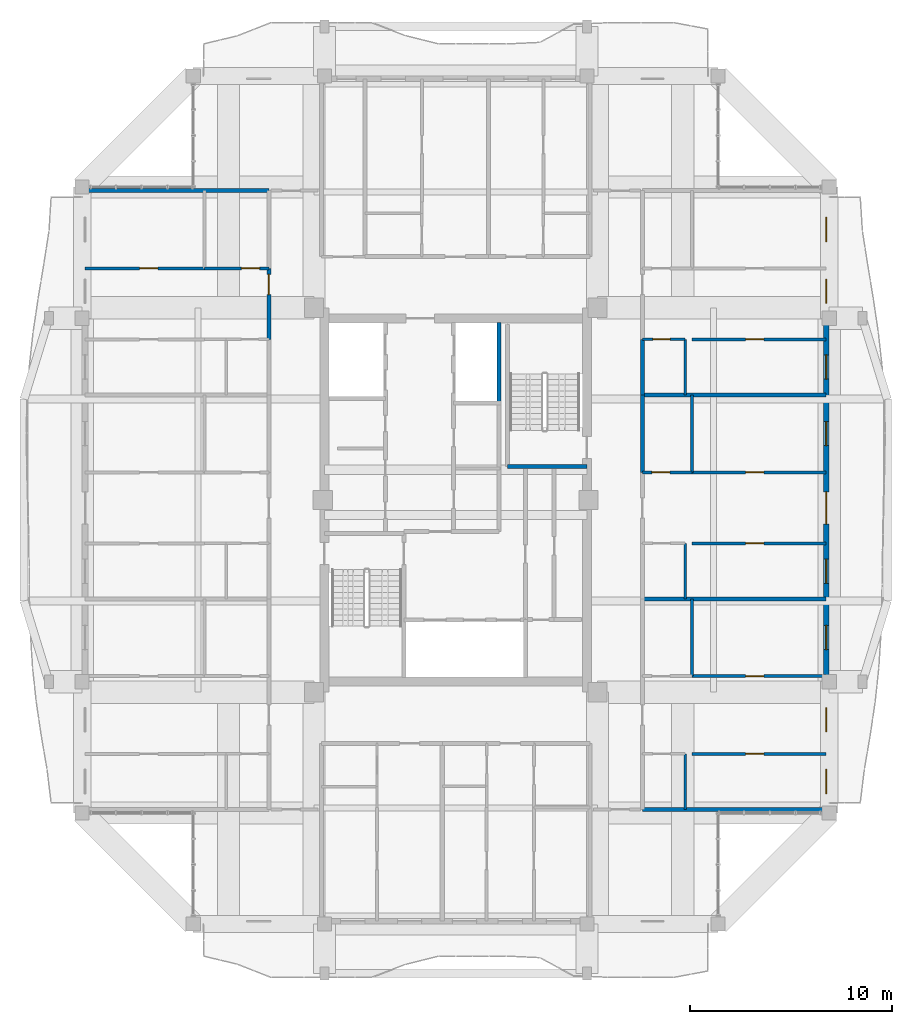
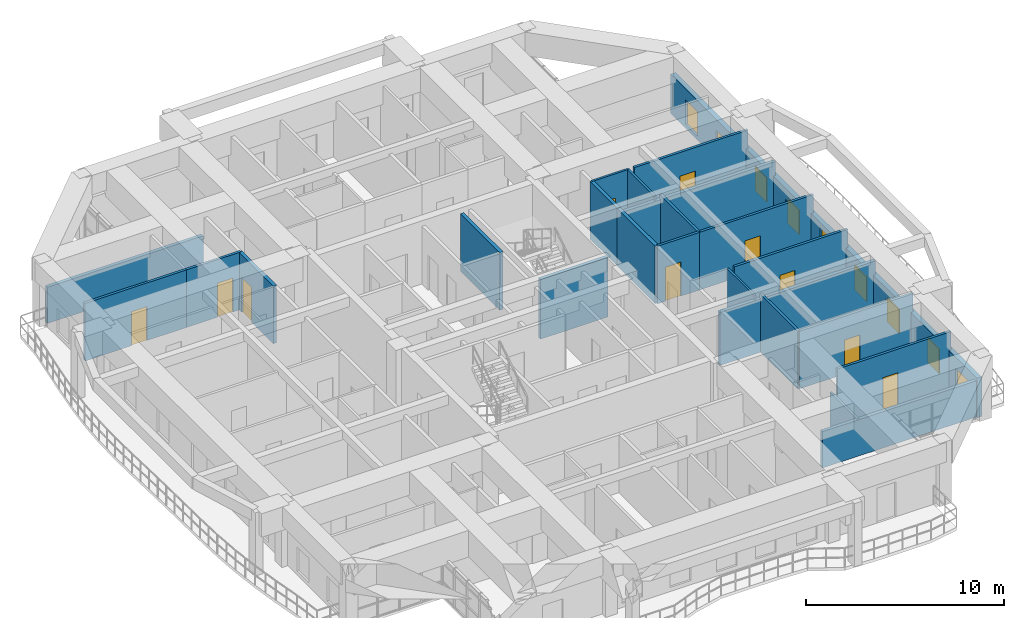
# One storey, part 14 of 22: 24 walls, 11 doors, 8 windows, 19 openings.
"""IFC4 building model written with IfcOpenShell, lengths in metres."""

from ifc_helpers import new_model, si_unit, direction, frame, frame_2d, origin, place, context, subcontext, project, spatial, rectangle, extrude, source, transform, mapped, material, layer, layer_set, type_object, element, fill, save


model = new_model("IFC4")

# Units and contexts
model_context = context("Model", 3, precision=1e-05, world=origin(), true_north=direction((0.0, 1.0)))
body_context = subcontext(model_context, "Body", "Model", "MODEL_VIEW")
ifc_project = project(units=[si_unit("LENGTHUNIT", "METRE"), si_unit("AREAUNIT", "SQUARE_METRE"), si_unit("VOLUMEUNIT", "CUBIC_METRE"), si_unit("PLANEANGLEUNIT", "RADIAN"), si_unit("MASSUNIT", "GRAM", prefix="KILO")], contexts=[model_context])

# Site, building, storey
site_placement = place(None, origin())
site = spatial("IfcSite", under=ifc_project, at=site_placement, CompositionType="ELEMENT")
building_placement = place(site_placement, origin())
building = spatial("IfcBuilding", under=site, at=building_placement, Name="Saelheon Loggia Tower", CompositionType="ELEMENT")
storey_placement = place(building_placement, frame((0.0, 0.0, 216.300048828125)))
storey = spatial("IfcBuildingStorey", under=building, at=storey_placement, Name="L67", CompositionType="ELEMENT", Elevation=216.300048828125)

# Wall, openings, windows, door
ifc_material_1 = material(Name="Architectural Precast Concrete C40/50", Category="concrete")
ifc_layer_1 = layer(ifc_material_1, 0.280029296875)
ifc_layer_set_1 = layer_set([ifc_layer_1], Name="Architectural Precast Concrete C40/50")
wall_type_1 = type_object("IfcWallType", Name="Wall_Ext_Loggia_280", PredefinedType="SOLIDWALL", material=ifc_layer_set_1)
wall_1_placement = place(storey_placement, frame((56.360107421875, 11.5, 0.0), z_axis=(0.0, 0.0, 1.0), x_axis=(0.0, 1.0, 0.0)))
wall_1 = element("IfcWall", 1, at=wall_1_placement, inside=storey, type_object=wall_type_1, Name="L67 East Loggia Inner Wall", PredefinedType="SOLIDWALL", context=body_context, shape_type="SweptSolid", body=[
    extrude(rectangle(XDim=31.0, YDim=0.280029296875, at=frame_2d((15.5, 0.0))), origin(), (0.0, 0.0, 1.0), 2.43994140625),
])
opening_1_placement = place(wall_1_placement, frame((0.9599609375, 0.0, 0.25)))
opening_1 = element("IfcOpeningElement", 2, at=opening_1_placement, cuts=wall_1, Name="Opening WN-03", PredefinedType="OPENING", context=body_context, shape_type="SweptSolid", body=[
    extrude(rectangle(XDim=1.199951171875, YDim=1.5, at=frame_2d((0.60009765625, 0.75))), frame((0.0, 0.152099609375, 0.0), z_axis=(0.0, -1.0, 0.0), x_axis=(1.0, 0.0, 0.0)), (0.0, 0.0, 1.0), 0.303955078125),
])
opening_2_placement = place(wall_1_placement, frame((4.02001953125, 0.0, 0.25)))
opening_2 = element("IfcOpeningElement", 3, at=opening_2_placement, cuts=wall_1, Name="Opening WN-03", PredefinedType="OPENING", context=body_context, shape_type="SweptSolid", body=[
    extrude(rectangle(XDim=1.199951171875, YDim=1.5, at=frame_2d((0.60009765625, 0.75))), frame((0.0, 0.152099609375, 0.0), z_axis=(0.0, -1.0, 0.0), x_axis=(1.0, 0.0, 0.0)), (0.0, 0.0, 1.0), 0.303955078125),
])
opening_3_placement = place(wall_1_placement, frame((8.0888671875, 0.0, 0.25)))
opening_3 = element("IfcOpeningElement", 4, at=opening_3_placement, cuts=wall_1, Name="Opening WN-03", PredefinedType="OPENING", context=body_context, shape_type="SweptSolid", body=[
    extrude(rectangle(XDim=1.199951171875, YDim=1.5, at=frame_2d((0.60009765625, 0.75))), frame((0.0, 0.152099609375, 0.0), z_axis=(0.0, -1.0, 0.0), x_axis=(1.0, 0.0, 0.0)), (0.0, 0.0, 1.0), 0.303955078125),
])
opening_4_placement = place(wall_1_placement, frame((11.37255859375, 0.0, 0.25)))
opening_4 = element("IfcOpeningElement", 5, at=opening_4_placement, cuts=wall_1, Name="Opening WN-03", PredefinedType="OPENING", context=body_context, shape_type="SweptSolid", body=[
    extrude(rectangle(XDim=1.199951171875, YDim=1.5, at=frame_2d((0.60009765625, 0.75))), frame((0.0, 0.152099609375, 0.0), z_axis=(0.0, -1.0, 0.0), x_axis=(1.0, 0.0, 0.0)), (0.0, 0.0, 1.0), 0.303955078125),
])
opening_5_placement = place(wall_1_placement, frame((15.906982421875, 0.0, 0.0), z_axis=(0.0, 0.0, 1.0), x_axis=(-1.0, 0.0, 0.0)))
opening_5 = element("IfcOpeningElement", 6, at=opening_5_placement, cuts=wall_1, Name="Opening DLG-1", PredefinedType="OPENING", context=body_context, shape_type="SweptSolid", body=[
    extrude(rectangle(XDim=1.60009765625, YDim=2.14990234375, at=frame_2d((0.800048828125, 1.074951171875))), frame((0.0, 0.152099609375, 0.0), z_axis=(0.0, -1.0, 0.0), x_axis=(1.0, 0.0, 0.0)), (0.0, 0.0, 1.0), 0.303955078125),
])
opening_6_placement = place(wall_1_placement, frame((18.1875, 0.0, 0.25)))
opening_6 = element("IfcOpeningElement", 7, at=opening_6_placement, cuts=wall_1, Name="Opening WN-03", PredefinedType="OPENING", context=body_context, shape_type="SweptSolid", body=[
    extrude(rectangle(XDim=1.199951171875, YDim=1.5, at=frame_2d((0.60009765625, 0.75))), frame((0.0, 0.152099609375, 0.0), z_axis=(0.0, -1.0, 0.0), x_axis=(1.0, 0.0, 0.0)), (0.0, 0.0, 1.0), 0.303955078125),
])
opening_7_placement = place(wall_1_placement, frame((21.48388671875, 0.0, 0.25)))
opening_7 = element("IfcOpeningElement", 8, at=opening_7_placement, cuts=wall_1, Name="Opening WN-03", PredefinedType="OPENING", context=body_context, shape_type="SweptSolid", body=[
    extrude(rectangle(XDim=1.199951171875, YDim=1.5, at=frame_2d((0.60009765625, 0.75))), frame((0.0, 0.152099609375, 0.0), z_axis=(0.0, -1.0, 0.0), x_axis=(1.0, 0.0, 0.0)), (0.0, 0.0, 1.0), 0.303955078125),
])
opening_8_placement = place(wall_1_placement, frame((25.23388671875, 0.0, 0.25)))
opening_8 = element("IfcOpeningElement", 9, at=opening_8_placement, cuts=wall_1, Name="Opening WN-03", PredefinedType="OPENING", context=body_context, shape_type="SweptSolid", body=[
    extrude(rectangle(XDim=1.199951171875, YDim=1.5, at=frame_2d((0.60009765625, 0.75))), frame((0.0, 0.152099609375, 0.0), z_axis=(0.0, -1.0, 0.0), x_axis=(1.0, 0.0, 0.0)), (0.0, 0.0, 1.0), 0.303955078125),
])
opening_9_placement = place(wall_1_placement, frame((28.293701171875, 0.0, 0.25)))
opening_9 = element("IfcOpeningElement", 10, at=opening_9_placement, cuts=wall_1, Name="Opening WN-03", PredefinedType="OPENING", context=body_context, shape_type="SweptSolid", body=[
    extrude(rectangle(XDim=1.199951171875, YDim=1.5, at=frame_2d((0.60009765625, 0.75))), frame((0.0, 0.152099609375, 0.0), z_axis=(0.0, -1.0, 0.0), x_axis=(1.0, 0.0, 0.0)), (0.0, 0.0, 1.0), 0.303955078125),
])
ifc_material_2 = material(Name="Thermal-Break Aluminium and Triple Low-E Glass", Category="aluminium")
window_type = type_object("IfcWindowType", Name="Win_Bedroom_1200x1500", PartitioningType="SINGLE_PANEL", PredefinedType="WINDOW", material=ifc_material_2)
shared_shape_1 = source(origin(), body_context, "Body", "SweptSolid", [
    extrude(rectangle(XDim=1.199951171875, YDim=1.5, at=frame_2d((0.60009765625, 0.75))), frame((0.0, 0.030029296875, 0.0), z_axis=(0.0, -1.0, 0.0), x_axis=(1.0, 0.0, 0.0)), (0.0, 0.0, 1.0), 0.06005859375),
])
window_1_placement = place(opening_1_placement, origin())
window_1 = element("IfcWindow", 11, at=window_1_placement, inside=storey, type_object=window_type, Name="L67 E Dwelling Window 1", OverallHeight=1.5, OverallWidth=1.199951171875, PartitioningType="SINGLE_PANEL", PredefinedType="WINDOW", context=body_context, shape_type="MappedRepresentation", body=[
    mapped(shared_shape_1, transform((0.0, 0.0, 0.0), scale=1.0)),
])
fill(opening_1, window_1)
window_2_placement = place(opening_2_placement, origin())
window_2 = element("IfcWindow", 12, at=window_2_placement, inside=storey, type_object=window_type, Name="L67 E Dwelling Window 2", OverallHeight=1.5, OverallWidth=1.199951171875, PartitioningType="SINGLE_PANEL", PredefinedType="WINDOW", context=body_context, shape_type="MappedRepresentation", body=[
    mapped(shared_shape_1, transform((0.0, 0.0, 0.0), scale=1.0)),
])
fill(opening_2, window_2)
window_3_placement = place(opening_3_placement, origin())
window_3 = element("IfcWindow", 13, at=window_3_placement, inside=storey, type_object=window_type, Name="L67 E Dwelling Window 3", OverallHeight=1.5, OverallWidth=1.199951171875, PartitioningType="SINGLE_PANEL", PredefinedType="WINDOW", context=body_context, shape_type="MappedRepresentation", body=[
    mapped(shared_shape_1, transform((0.0, 0.0, 0.0), scale=1.0)),
])
fill(opening_3, window_3)
window_4_placement = place(opening_4_placement, origin())
window_4 = element("IfcWindow", 14, at=window_4_placement, inside=storey, type_object=window_type, Name="L67 E Dwelling Window 4", OverallHeight=1.5, OverallWidth=1.199951171875, PartitioningType="SINGLE_PANEL", PredefinedType="WINDOW", context=body_context, shape_type="MappedRepresentation", body=[
    mapped(shared_shape_1, transform((0.0, 0.0, 0.0), scale=1.0)),
])
fill(opening_4, window_4)
window_5_placement = place(opening_6_placement, origin())
window_5 = element("IfcWindow", 15, at=window_5_placement, inside=storey, type_object=window_type, Name="L67 E Dwelling Window 6", OverallHeight=1.5, OverallWidth=1.199951171875, PartitioningType="SINGLE_PANEL", PredefinedType="WINDOW", context=body_context, shape_type="MappedRepresentation", body=[
    mapped(shared_shape_1, transform((0.0, 0.0, 0.0), scale=1.0)),
])
fill(opening_6, window_5)
window_6_placement = place(opening_7_placement, origin())
window_6 = element("IfcWindow", 16, at=window_6_placement, inside=storey, type_object=window_type, Name="L67 E Dwelling Window 7", OverallHeight=1.5, OverallWidth=1.199951171875, PartitioningType="SINGLE_PANEL", PredefinedType="WINDOW", context=body_context, shape_type="MappedRepresentation", body=[
    mapped(shared_shape_1, transform((0.0, 0.0, 0.0), scale=1.0)),
])
fill(opening_7, window_6)
window_7_placement = place(opening_8_placement, origin())
window_7 = element("IfcWindow", 17, at=window_7_placement, inside=storey, type_object=window_type, Name="L67 E Dwelling Window 8", OverallHeight=1.5, OverallWidth=1.199951171875, PartitioningType="SINGLE_PANEL", PredefinedType="WINDOW", context=body_context, shape_type="MappedRepresentation", body=[
    mapped(shared_shape_1, transform((0.0, 0.0, 0.0), scale=1.0)),
])
fill(opening_8, window_7)
window_8_placement = place(opening_9_placement, origin())
window_8 = element("IfcWindow", 18, at=window_8_placement, inside=storey, type_object=window_type, Name="L67 E Dwelling Window 9", OverallHeight=1.5, OverallWidth=1.199951171875, PartitioningType="SINGLE_PANEL", PredefinedType="WINDOW", context=body_context, shape_type="MappedRepresentation", body=[
    mapped(shared_shape_1, transform((0.0, 0.0, 0.0), scale=1.0)),
])
fill(opening_9, window_8)
ifc_material_3 = material(Name="Thermal-Break Aluminium Sliding Glazed Door", Category="aluminium")
door_type_1 = type_object("IfcDoorType", Name="Door_LoggiaSlide_1600", OperationType="SLIDING_TO_LEFT", PredefinedType="DOOR", material=ifc_material_3)
shared_shape_2 = source(origin(), body_context, "Body", "SweptSolid", [
    extrude(rectangle(XDim=1.60009765625, YDim=2.14990234375, at=frame_2d((0.800048828125, 1.074951171875))), frame((0.0, 0.02490234375, 0.0), z_axis=(0.0, -1.0, 0.0), x_axis=(1.0, 0.0, 0.0)), (0.0, 0.0, 1.0), 0.050048828125),
])
door_1_placement = place(opening_5_placement, origin())
door_1 = element("IfcDoor", 19, at=door_1_placement, inside=storey, type_object=door_type_1, Name="L67 E Loggia Access Door", OperationType="SLIDING_TO_LEFT", OverallHeight=2.14990234375, OverallWidth=1.60009765625, PredefinedType="DOOR", context=body_context, shape_type="MappedRepresentation", body=[
    mapped(shared_shape_2, transform((0.0, 0.0, 0.0), scale=1.0)),
])
fill(opening_5, door_1)

# Wall, opening, door
ifc_material_4 = material(Name="Lightweight Autoclaved Aerated Concrete Block and Acoustic Gypsum", Category="concrete")
ifc_layer_2 = layer(ifc_material_4, 0.14990234375)
ifc_layer_set_2 = layer_set([ifc_layer_2], Name="Lightweight Autoclaved Aerated Concrete Block and Acoustic Gypsum")
wall_type_2 = type_object("IfcWallType", Name="Wall_Part_150", PredefinedType="PARTITIONING", material=ifc_layer_set_2)
wall_2_placement = place(storey_placement, frame((28.75, 38.477783203125, 0.0), z_axis=(0.0, 0.0, 1.0), x_axis=(-1.0, 0.0, 0.0)))
wall_2 = element("IfcWall", 20, at=wall_2_placement, inside=storey, type_object=wall_type_2, Name="L67 W Partition U33", PredefinedType="PARTITIONING", context=body_context, shape_type="SweptSolid", body=[
    extrude(rectangle(XDim=3.179931640625, YDim=0.14990234375, at=frame_2d((1.58984375, 0.0))), origin(), (0.0, 0.0, 1.0), 3.56005859375),
])
opening_10_placement = place(wall_2_placement, frame((0.465087890625, 0.0, 0.0)))
opening_10 = element("IfcOpeningElement", 21, at=opening_10_placement, cuts=wall_2, Name="Opening D-IN2", PredefinedType="OPENING", context=body_context, shape_type="SweptSolid", body=[
    extrude(rectangle(XDim=0.89990234375, YDim=2.10009765625, at=frame_2d((0.449951171875, 1.050048828125))), frame((0.0, 0.0869140625, 0.0), z_axis=(0.0, -1.0, 0.0), x_axis=(1.0, 0.0, 0.0)), (0.0, 0.0, 1.0), 0.173828125),
])
ifc_material_5 = material(Name="Engineered Oak Flush Door", Category="timber")
door_type_2 = type_object("IfcDoorType", Name="Door_Int_900", OperationType="NOTDEFINED", PredefinedType="DOOR", material=ifc_material_5)
shared_shape_3 = source(origin(), body_context, "Body", "SweptSolid", [
    extrude(rectangle(XDim=0.89990234375, YDim=2.10009765625, at=frame_2d((0.449951171875, 1.050048828125))), frame((0.0, 0.02490234375, 0.0), z_axis=(0.0, -1.0, 0.0), x_axis=(1.0, 0.0, 0.0)), (0.0, 0.0, 1.0), 0.050048828125),
])
door_2_placement = place(opening_10_placement, origin())
door_2 = element("IfcDoor", 22, at=door_2_placement, inside=storey, type_object=door_type_2, Name="Unit U07 Dressing Closet Door", OperationType="SINGLE_SWING_RIGHT", OverallHeight=2.10009765625, OverallWidth=0.89990234375, PredefinedType="DOOR", context=body_context, shape_type="MappedRepresentation", body=[
    mapped(shared_shape_3, transform((0.0, 0.0, 0.0), scale=1.0)),
])
fill(opening_10, door_2)

wall_3_placement = place(storey_placement, frame((25.570068359375, 38.477783203125, 0.0), z_axis=(0.0, 0.0, 1.0), x_axis=(-1.0, 0.0, 0.0)))
wall_3 = element("IfcWall", 23, at=wall_3_placement, inside=storey, type_object=wall_type_2, Name="L67 W Partition U34", PredefinedType="PARTITIONING", context=body_context, shape_type="SweptSolid", body=[
    extrude(rectangle(XDim=5.920166015625, YDim=0.14990234375, at=frame_2d((2.9599609375, 0.0))), origin(), (0.0, 0.0, 1.0), 3.56005859375),
])
opening_11_placement = place(wall_3_placement, frame((2.32080078125, 0.0, 0.0)))
opening_11 = element("IfcOpeningElement", 24, at=opening_11_placement, cuts=wall_3, Name="Opening D-IN2", PredefinedType="OPENING", context=body_context, shape_type="SweptSolid", body=[
    extrude(rectangle(XDim=0.89990234375, YDim=2.10009765625, at=frame_2d((0.449951171875, 1.050048828125))), frame((0.0, 0.0869140625, 0.0), z_axis=(0.0, -1.0, 0.0), x_axis=(1.0, 0.0, 0.0)), (0.0, 0.0, 1.0), 0.173828125),
])
door_3_placement = place(opening_11_placement, origin())
door_3 = element("IfcDoor", 25, at=door_3_placement, inside=storey, type_object=door_type_2, Name="Unit U07 Bedroom 1 Door", OperationType="SINGLE_SWING_LEFT", OverallHeight=2.10009765625, OverallWidth=0.89990234375, PredefinedType="DOOR", context=body_context, shape_type="MappedRepresentation", body=[
    mapped(shared_shape_3, transform((0.0, 0.0, 0.0), scale=1.0)),
])
fill(opening_11, door_3)

# Wall
wall_4_placement = place(storey_placement, frame((49.7099609375, 18.280029296875, 0.0), z_axis=(0.0, 0.0, 1.0), x_axis=(0.0, 1.0, 0.0)))
element("IfcWall", 26, at=wall_4_placement, inside=storey, type_object=wall_type_2, Name="L67 E Partition V07", PredefinedType="PARTITIONING", context=body_context, shape_type="SweptSolid", body=[
    extrude(rectangle(XDim=3.817626953125, YDim=0.14990234375, at=frame_2d((1.90869140625, 0.0))), origin(), (0.0, 0.0, 1.0), 3.56005859375),
])

# Wall, opening, door
wall_5_placement = place(storey_placement, frame((49.7099609375, 14.429931640625, 0.0), z_axis=(0.0, 0.0, 1.0), x_axis=(1.0, 0.0, 0.0)))
wall_5 = element("IfcWall", 27, at=wall_5_placement, inside=storey, type_object=wall_type_2, Name="L67 E Partition U09", PredefinedType="PARTITIONING", context=body_context, shape_type="SweptSolid", body=[
    extrude(rectangle(XDim=6.64013671875, YDim=0.14990234375, at=frame_2d((3.320068359375, 0.0))), origin(), (0.0, 0.0, 1.0), 3.56005859375),
])
opening_12_placement = place(wall_5_placement, frame((2.65087890625, 0.0, 0.0)))
opening_12 = element("IfcOpeningElement", 28, at=opening_12_placement, cuts=wall_5, Name="Opening D-IN2", PredefinedType="OPENING", context=body_context, shape_type="SweptSolid", body=[
    extrude(rectangle(XDim=0.89990234375, YDim=2.10009765625, at=frame_2d((0.449951171875, 1.050048828125))), frame((0.0, 0.0869140625, 0.0), z_axis=(0.0, -1.0, 0.0), x_axis=(1.0, 0.0, 0.0)), (0.0, 0.0, 1.0), 0.173828125),
])
door_4_placement = place(opening_12_placement, origin())
door_4 = element("IfcDoor", 29, at=door_4_placement, inside=storey, type_object=door_type_2, Name="Unit U08 Kitchen Door", OperationType="SINGLE_SWING_RIGHT", OverallHeight=2.10009765625, OverallWidth=0.89990234375, PredefinedType="DOOR", context=body_context, shape_type="MappedRepresentation", body=[
    mapped(shared_shape_3, transform((0.0, 0.0, 0.0), scale=1.0)),
])
fill(opening_12, door_4)

wall_6_placement = place(storey_placement, frame((49.7099609375, 18.280029296875, 0.0), z_axis=(0.0, 0.0, 1.0), x_axis=(1.0, 0.0, 0.0)))
wall_6 = element("IfcWall", 30, at=wall_6_placement, inside=storey, type_object=wall_type_2, Name="L67 E Partition U11", PredefinedType="PARTITIONING", context=body_context, shape_type="SweptSolid", body=[
    extrude(rectangle(XDim=6.64013671875, YDim=0.14990234375, at=frame_2d((3.320068359375, 0.0))), origin(), (0.0, 0.0, 1.0), 3.56005859375),
])
opening_13_placement = place(wall_6_placement, frame((2.65087890625, 0.0, 0.0)))
opening_13 = element("IfcOpeningElement", 31, at=opening_13_placement, cuts=wall_6, Name="Opening D-IN2", PredefinedType="OPENING", context=body_context, shape_type="SweptSolid", body=[
    extrude(rectangle(XDim=0.89990234375, YDim=2.10009765625, at=frame_2d((0.449951171875, 1.050048828125))), frame((0.0, 0.0869140625, 0.0), z_axis=(0.0, -1.0, 0.0), x_axis=(1.0, 0.0, 0.0)), (0.0, 0.0, 1.0), 0.173828125),
])
door_5_placement = place(opening_13_placement, origin())
door_5 = element("IfcDoor", 32, at=door_5_placement, inside=storey, type_object=door_type_2, Name="Unit U08 Bedroom 1 Door", OperationType="SINGLE_SWING_RIGHT", OverallHeight=2.10009765625, OverallWidth=0.89990234375, PredefinedType="DOOR", context=body_context, shape_type="MappedRepresentation", body=[
    mapped(shared_shape_3, transform((0.0, 0.0, 0.0), scale=1.0)),
])
fill(opening_13, door_5)

# Wall
wall_7_placement = place(storey_placement, frame((49.7099609375, 28.366455078125, 0.0), z_axis=(0.0, 0.0, 1.0), x_axis=(0.0, 1.0, 0.0)))
element("IfcWall", 33, at=wall_7_placement, inside=storey, type_object=wall_type_2, Name="L67 E Partition V17", PredefinedType="PARTITIONING", context=body_context, shape_type="SweptSolid", body=[
    extrude(rectangle(XDim=3.84228515625, YDim=0.14990234375, at=frame_2d((1.921142578125, 0.0))), origin(), (0.0, 0.0, 1.0), 3.56005859375),
])

# Wall, opening, door
wall_8_placement = place(storey_placement, frame((49.7099609375, 24.84765625, 0.0), z_axis=(0.0, 0.0, 1.0), x_axis=(1.0, 0.0, 0.0)))
wall_8 = element("IfcWall", 34, at=wall_8_placement, inside=storey, type_object=wall_type_2, Name="L67 E Partition U19", PredefinedType="PARTITIONING", context=body_context, shape_type="SweptSolid", body=[
    extrude(rectangle(XDim=6.64013671875, YDim=0.14990234375, at=frame_2d((3.320068359375, 0.0))), origin(), (0.0, 0.0, 1.0), 3.56005859375),
])
opening_14_placement = place(wall_8_placement, frame((2.65087890625, 0.0, 0.0)))
opening_14 = element("IfcOpeningElement", 35, at=opening_14_placement, cuts=wall_8, Name="Opening D-IN2", PredefinedType="OPENING", context=body_context, shape_type="SweptSolid", body=[
    extrude(rectangle(XDim=0.89990234375, YDim=2.10009765625, at=frame_2d((0.449951171875, 1.050048828125))), frame((0.0, 0.0869140625, 0.0), z_axis=(0.0, -1.0, 0.0), x_axis=(1.0, 0.0, 0.0)), (0.0, 0.0, 1.0), 0.173828125),
])
door_6_placement = place(opening_14_placement, origin())
door_6 = element("IfcDoor", 36, at=door_6_placement, inside=storey, type_object=door_type_2, Name="Unit U09 Kitchen Door", OperationType="SINGLE_SWING_LEFT", OverallHeight=2.10009765625, OverallWidth=0.89990234375, PredefinedType="DOOR", context=body_context, shape_type="MappedRepresentation", body=[
    mapped(shared_shape_3, transform((0.0, 0.0, 0.0), scale=1.0)),
])
fill(opening_14, door_6)

wall_9_placement = place(storey_placement, frame((47.25, 28.366455078125, 0.0), z_axis=(0.0, 0.0, 1.0), x_axis=(1.0, 0.0, 0.0)))
wall_9 = element("IfcWall", 37, at=wall_9_placement, inside=storey, type_object=wall_type_2, Name="L67 E Partition U20", PredefinedType="PARTITIONING", context=body_context, shape_type="SweptSolid", body=[
    extrude(rectangle(XDim=2.4599609375, YDim=0.14990234375, at=frame_2d((1.22998046875, 0.0))), origin(), (0.0, 0.0, 1.0), 3.56005859375),
])
opening_15_placement = place(wall_9_placement, frame((0.465087890625, 0.0, 0.0)))
opening_15 = element("IfcOpeningElement", 38, at=opening_15_placement, cuts=wall_9, Name="Opening D-IN2", PredefinedType="OPENING", context=body_context, shape_type="SweptSolid", body=[
    extrude(rectangle(XDim=0.89990234375, YDim=2.10009765625, at=frame_2d((0.449951171875, 1.050048828125))), frame((0.0, 0.0869140625, 0.0), z_axis=(0.0, -1.0, 0.0), x_axis=(1.0, 0.0, 0.0)), (0.0, 0.0, 1.0), 0.173828125),
])
door_7_placement = place(opening_15_placement, origin())
door_7 = element("IfcDoor", 39, at=door_7_placement, inside=storey, type_object=door_type_2, Name="Unit U09 Dressing Closet Door", OperationType="SINGLE_SWING_RIGHT", OverallHeight=2.10009765625, OverallWidth=0.89990234375, PredefinedType="DOOR", context=body_context, shape_type="MappedRepresentation", body=[
    mapped(shared_shape_3, transform((0.0, 0.0, 0.0), scale=1.0)),
])
fill(opening_15, door_7)

wall_10_placement = place(storey_placement, frame((49.7099609375, 28.366455078125, 0.0), z_axis=(0.0, 0.0, 1.0), x_axis=(1.0, 0.0, 0.0)))
wall_10 = element("IfcWall", 40, at=wall_10_placement, inside=storey, type_object=wall_type_2, Name="L67 E Partition U21", PredefinedType="PARTITIONING", context=body_context, shape_type="SweptSolid", body=[
    extrude(rectangle(XDim=6.64013671875, YDim=0.14990234375, at=frame_2d((3.320068359375, 0.0))), origin(), (0.0, 0.0, 1.0), 3.56005859375),
])
opening_16_placement = place(wall_10_placement, frame((2.65087890625, 0.0, 0.0)))
opening_16 = element("IfcOpeningElement", 41, at=opening_16_placement, cuts=wall_10, Name="Opening D-IN2", PredefinedType="OPENING", context=body_context, shape_type="SweptSolid", body=[
    extrude(rectangle(XDim=0.89990234375, YDim=2.10009765625, at=frame_2d((0.449951171875, 1.050048828125))), frame((0.0, 0.0869140625, 0.0), z_axis=(0.0, -1.0, 0.0), x_axis=(1.0, 0.0, 0.0)), (0.0, 0.0, 1.0), 0.173828125),
])
door_8_placement = place(opening_16_placement, origin())
door_8 = element("IfcDoor", 42, at=door_8_placement, inside=storey, type_object=door_type_2, Name="Unit U09 Bedroom 1 Door", OperationType="SINGLE_SWING_LEFT", OverallHeight=2.10009765625, OverallWidth=0.89990234375, PredefinedType="DOOR", context=body_context, shape_type="MappedRepresentation", body=[
    mapped(shared_shape_3, transform((0.0, 0.0, 0.0), scale=1.0)),
])
fill(opening_16, door_8)

wall_11_placement = place(storey_placement, frame((49.7099609375, 34.958740234375, 0.0), z_axis=(0.0, 0.0, 1.0), x_axis=(1.0, 0.0, 0.0)))
wall_11 = element("IfcWall", 43, at=wall_11_placement, inside=storey, type_object=wall_type_2, Name="L67 E Partition U29", PredefinedType="PARTITIONING", context=body_context, shape_type="SweptSolid", body=[
    extrude(rectangle(XDim=6.64013671875, YDim=0.14990234375, at=frame_2d((3.320068359375, 0.0))), origin(), (0.0, 0.0, 1.0), 3.56005859375),
])
opening_17_placement = place(wall_11_placement, frame((2.65087890625, 0.0, 0.0)))
opening_17 = element("IfcOpeningElement", 44, at=opening_17_placement, cuts=wall_11, Name="Opening D-IN2", PredefinedType="OPENING", context=body_context, shape_type="SweptSolid", body=[
    extrude(rectangle(XDim=0.89990234375, YDim=2.10009765625, at=frame_2d((0.449951171875, 1.050048828125))), frame((0.0, 0.0869140625, 0.0), z_axis=(0.0, -1.0, 0.0), x_axis=(1.0, 0.0, 0.0)), (0.0, 0.0, 1.0), 0.173828125),
])
door_9_placement = place(opening_17_placement, origin())
door_9 = element("IfcDoor", 45, at=door_9_placement, inside=storey, type_object=door_type_2, Name="Unit U10 Kitchen Door", OperationType="SINGLE_SWING_RIGHT", OverallHeight=2.10009765625, OverallWidth=0.89990234375, PredefinedType="DOOR", context=body_context, shape_type="MappedRepresentation", body=[
    mapped(shared_shape_3, transform((0.0, 0.0, 0.0), scale=1.0)),
])
fill(opening_17, door_9)

# Wall
ifc_material_6 = material(Name="Double Acoustic Stud and Fireboard Partition", Category="gypsum")
ifc_layer_3 = layer(ifc_material_6, 0.199951171875)
ifc_layer_set_3 = layer_set([ifc_layer_3], Name="Double Acoustic Stud and Fireboard Partition")
wall_type_3 = type_object("IfcWallType", Name="Wall_Party_200", PredefinedType="PARTITIONING", material=ifc_layer_set_3)
wall_12_placement = place(storey_placement, frame((28.75, 42.320068359375, 0.0), z_axis=(0.0, 0.0, 1.0), x_axis=(-1.0, 0.0, 0.0)))
element("IfcWall", 46, at=wall_12_placement, inside=storey, type_object=wall_type_3, Name="L67 W Partition U02", PredefinedType="PARTITIONING", context=body_context, shape_type="SweptSolid", body=[
    extrude(rectangle(XDim=9.10009765625, YDim=0.199951171875, at=frame_2d((4.550048828125, 0.0))), origin(), (0.0, 0.0, 1.0), 2.239990234375),
])

# Wall, opening, door
wall_13_placement = place(storey_placement, frame((28.75, 34.958740234375, 0.0), z_axis=(0.0, 0.0, 1.0), x_axis=(0.0, 1.0, 0.0)))
wall_13 = element("IfcWall", 47, at=wall_13_placement, inside=storey, type_object=wall_type_3, Name="L67 W Partition V26", PredefinedType="PARTITIONING", context=body_context, shape_type="SweptSolid", body=[
    extrude(rectangle(XDim=3.51904296875, YDim=0.199951171875, at=frame_2d((1.759521484375, 0.0))), origin(), (0.0, 0.0, 1.0), 3.56005859375),
])
opening_18_placement = place(wall_13_placement, frame((2.21728515625, 0.0, 0.0)))
opening_18 = element("IfcOpeningElement", 48, at=opening_18_placement, cuts=wall_13, Name="Opening D-FD1", PredefinedType="OPENING", context=body_context, shape_type="SweptSolid", body=[
    extrude(rectangle(XDim=1.0, YDim=2.14990234375, at=frame_2d((0.5, 1.074951171875))), frame((0.0, 0.112060546875, 0.0), z_axis=(0.0, -1.0, 0.0), x_axis=(1.0, 0.0, 0.0)), (0.0, 0.0, 1.0), 0.223876953125),
])
ifc_material_7 = material(Name="Fire-Rated Engineered Timber Entrance Door", Category="wood")
door_type_3 = type_object("IfcDoorType", Name="Door_Flat_FD30S", OperationType="NOTDEFINED", PredefinedType="DOOR", material=ifc_material_7)
shared_shape_4 = source(origin(), body_context, "Body", "SweptSolid", [
    extrude(rectangle(XDim=1.0, YDim=2.14990234375, at=frame_2d((0.5, 1.074951171875))), frame((0.0, 0.02490234375, 0.0), z_axis=(0.0, -1.0, 0.0), x_axis=(1.0, 0.0, 0.0)), (0.0, 0.0, 1.0), 0.050048828125),
])
door_10_placement = place(opening_18_placement, origin())
door_10 = element("IfcDoor", 49, at=door_10_placement, inside=storey, type_object=door_type_3, Name="Unit U07 Entrance Door", OperationType="SINGLE_SWING_LEFT", OverallHeight=2.14990234375, OverallWidth=1.0, PredefinedType="DOOR", context=body_context, shape_type="MappedRepresentation", body=[
    mapped(shared_shape_4, transform((0.0, 0.0, 0.0), scale=1.0)),
])
fill(opening_18, door_10)

# Walls
wall_14_placement = place(storey_placement, frame((47.25, 11.679931640625, 0.0), z_axis=(0.0, 0.0, 1.0), x_axis=(1.0, 0.0, 0.0)))
element("IfcWall", 50, at=wall_14_placement, inside=storey, type_object=wall_type_3, Name="L67 E Partition U01", PredefinedType="PARTITIONING", context=body_context, shape_type="SweptSolid", body=[
    extrude(rectangle(XDim=9.10009765625, YDim=0.199951171875, at=frame_2d((4.550048828125, 0.0))), origin(), (0.0, 0.0, 1.0), 2.239990234375),
])
wall_15_placement = place(storey_placement, frame((47.25, 22.09765625, 0.0), z_axis=(0.0, 0.0, 1.0), x_axis=(1.0, 0.0, 0.0)))
element("IfcWall", 51, at=wall_15_placement, inside=storey, type_object=wall_type_3, Name="L67 E Partition U12", PredefinedType="PARTITIONING", context=body_context, shape_type="SweptSolid", body=[
    extrude(rectangle(XDim=9.10009765625, YDim=0.199951171875, at=frame_2d((4.550048828125, 0.0))), origin(), (0.0, 0.0, 1.0), 3.2900390625),
])
wall_16_placement = place(storey_placement, frame((47.25, 28.366455078125, 0.0), z_axis=(0.0, 0.0, 1.0), x_axis=(0.0, 1.0, 0.0)))
element("IfcWall", 52, at=wall_16_placement, inside=storey, type_object=wall_type_3, Name="L67 E Partition V15", PredefinedType="PARTITIONING", context=body_context, shape_type="SweptSolid", body=[
    extrude(rectangle(XDim=3.84228515625, YDim=0.199951171875, at=frame_2d((1.921142578125, 0.0))), origin(), (0.0, 0.0, 1.0), 3.56005859375),
])
wall_17_placement = place(storey_placement, frame((47.25, 32.208740234375, 0.0), z_axis=(0.0, 0.0, 1.0), x_axis=(1.0, 0.0, 0.0)))
element("IfcWall", 53, at=wall_17_placement, inside=storey, type_object=wall_type_3, Name="L67 E Partition U22", PredefinedType="PARTITIONING", context=body_context, shape_type="SweptSolid", body=[
    extrude(rectangle(XDim=9.10009765625, YDim=0.199951171875, at=frame_2d((4.550048828125, 0.0))), origin(), (0.0, 0.0, 1.0), 3.2900390625),
])
wall_18_placement = place(storey_placement, frame((47.25, 32.208740234375, 0.0), z_axis=(0.0, 0.0, 1.0), x_axis=(0.0, 1.0, 0.0)))
element("IfcWall", 54, at=wall_18_placement, inside=storey, type_object=wall_type_3, Name="L67 E Partition V23", PredefinedType="PARTITIONING", context=body_context, shape_type="SweptSolid", body=[
    extrude(rectangle(XDim=2.75, YDim=0.199951171875, at=frame_2d((1.375, 0.0))), origin(), (0.0, 0.0, 1.0), 3.56005859375),
])
ifc_material_8 = material(Name="Concrete C40/50", Category="concrete")
ifc_layer_4 = layer(ifc_material_8, 0.199951171875)
ifc_layer_set_4 = layer_set([ifc_layer_4], Name="Concrete C40/50")
wall_type_4 = type_object("IfcWallType", Name="Wall_Shaft_200", PredefinedType="PARTITIONING", material=ifc_layer_set_4)
wall_19_placement = place(storey_placement, frame((40.14990234375, 31.800048828125, 0.0), z_axis=(0.0, 0.0, 1.0), x_axis=(0.0, 1.0, 0.0)))
element("IfcWall", 55, at=wall_19_placement, inside=storey, type_object=wall_type_4, Name="L67 East High-Rise Hoistway East Wall", PredefinedType="PARTITIONING", context=body_context, shape_type="SweptSolid", body=[
    extrude(rectangle(XDim=3.97998046875, YDim=0.199951171875, at=frame_2d((1.989990234375, 0.0))), origin(), (0.0, 0.0, 1.0), 3.56005859375),
])
ifc_material_9 = material(Name="Concrete C45/55", Category="concrete")
ifc_layer_5 = layer(ifc_material_9, 0.199951171875)
ifc_layer_set_5 = layer_set([ifc_layer_5], Name="Concrete C45/55")
wall_type_5 = type_object("IfcWallType", Name="Wall_StairShaft_RC200", PredefinedType="SOLIDWALL", material=ifc_layer_set_5)
wall_20_placement = place(storey_placement, frame((40.570068359375, 28.64990234375, 0.0), z_axis=(0.0, 0.0, 1.0), x_axis=(1.0, 0.0, 0.0)))
element("IfcWall", 56, at=wall_20_placement, inside=storey, type_object=wall_type_5, Name="L67 Stair ST2 South Wall", PredefinedType="SOLIDWALL", context=body_context, shape_type="SweptSolid", body=[
    extrude(rectangle(XDim=3.929931640625, YDim=0.199951171875, at=frame_2d((1.96484375, 0.0))), origin(), (0.0, 0.0, 1.0), 3.68994140625),
])
ifc_material_10 = material(Name="Moisture-Resistant Cement Board Partition", Category="gypsum")
ifc_layer_6 = layer(ifc_material_10, 0.1201171875)
ifc_layer_set_6 = layer_set([ifc_layer_6], Name="Moisture-Resistant Cement Board Partition")
wall_type_6 = type_object("IfcWallType", Name="Wall_WetPart_120", PredefinedType="PARTITIONING", material=ifc_layer_set_6)
wall_21_placement = place(storey_placement, frame((49.3701171875, 11.679931640625, 0.0), z_axis=(0.0, 0.0, 1.0), x_axis=(0.0, 1.0, 0.0)))
element("IfcWall", 57, at=wall_21_placement, inside=storey, type_object=wall_type_6, Name="L67 E Partition V06", PredefinedType="PARTITIONING", context=body_context, shape_type="SweptSolid", body=[
    extrude(rectangle(XDim=2.75, YDim=0.1201171875, at=frame_2d((1.375, 0.0))), origin(), (0.0, 0.0, 1.0), 2.239990234375),
])
for number, where, z_axis, x_axis, name in (
    (58, (49.3701171875, 22.09765625, 0.0), (0.0, 0.0, 1.0), (0.0, 1.0, 0.0), "L67 E Partition V16"),
    (59, (49.3701171875, 32.208740234375, 0.0), (0.0, 0.0, 1.0), (0.0, 1.0, 0.0), "L67 E Partition V26"),
):
    element("IfcWall", number, at=place(storey_placement, frame(where, z_axis=z_axis, x_axis=x_axis)), inside=storey, type_object=wall_type_6, Name=name, PredefinedType="PARTITIONING", context=body_context, shape_type="SweptSolid", body=[
        extrude(rectangle(XDim=2.75, YDim=0.1201171875, at=frame_2d((1.375, 0.0))), origin(), (0.0, 0.0, 1.0), 3.56005859375),
    ])

# Wall, opening, door
wall_22_placement = place(storey_placement, frame((47.25, 34.958740234375, 0.0), z_axis=(0.0, 0.0, 1.0), x_axis=(1.0, 0.0, 0.0)))
wall_22 = element("IfcWall", 60, at=wall_22_placement, inside=storey, type_object=wall_type_6, Name="L67 E Partition U28", PredefinedType="PARTITIONING", context=body_context, shape_type="SweptSolid", body=[
    extrude(rectangle(XDim=2.1201171875, YDim=0.1201171875, at=frame_2d((1.06005859375, 0.0))), origin(), (0.0, 0.0, 1.0), 3.56005859375),
])
opening_19_placement = place(wall_22_placement, frame((0.519775390625, 0.0, 0.0)))
opening_19 = element("IfcOpeningElement", 61, at=opening_19_placement, cuts=wall_22, Name="Opening D-BT1", PredefinedType="OPENING", context=body_context, shape_type="SweptSolid", body=[
    extrude(rectangle(XDim=0.85009765625, YDim=2.050048828125, at=frame_2d((0.425048828125, 1.02490234375))), frame((0.0, 0.072021484375, 0.0), z_axis=(0.0, -1.0, 0.0), x_axis=(1.0, 0.0, 0.0)), (0.0, 0.0, 1.0), 0.14404296875),
])
ifc_material_11 = material(Name="Moisture-Resistant Laminate Timber Door", Category="wood")
door_type_4 = type_object("IfcDoorType", Name="Door_Bath_850", OperationType="NOTDEFINED", PredefinedType="DOOR", material=ifc_material_11)
shared_shape_5 = source(origin(), body_context, "Body", "SweptSolid", [
    extrude(rectangle(XDim=0.85009765625, YDim=2.050048828125, at=frame_2d((0.425048828125, 1.02490234375))), frame((0.0, 0.02490234375, 0.0), z_axis=(0.0, -1.0, 0.0), x_axis=(1.0, 0.0, 0.0)), (0.0, 0.0, 1.0), 0.050048828125),
])
door_11_placement = place(opening_19_placement, origin())
door_11 = element("IfcDoor", 62, at=door_11_placement, inside=storey, type_object=door_type_4, Name="Unit U10 Bathroom Door", OperationType="SINGLE_SWING_LEFT", OverallHeight=2.050048828125, OverallWidth=0.85009765625, PredefinedType="DOOR", context=body_context, shape_type="MappedRepresentation", body=[
    mapped(shared_shape_5, transform((0.0, 0.0, 0.0), scale=1.0)),
])
fill(opening_19, door_11)

save(model, "model.ifc")
